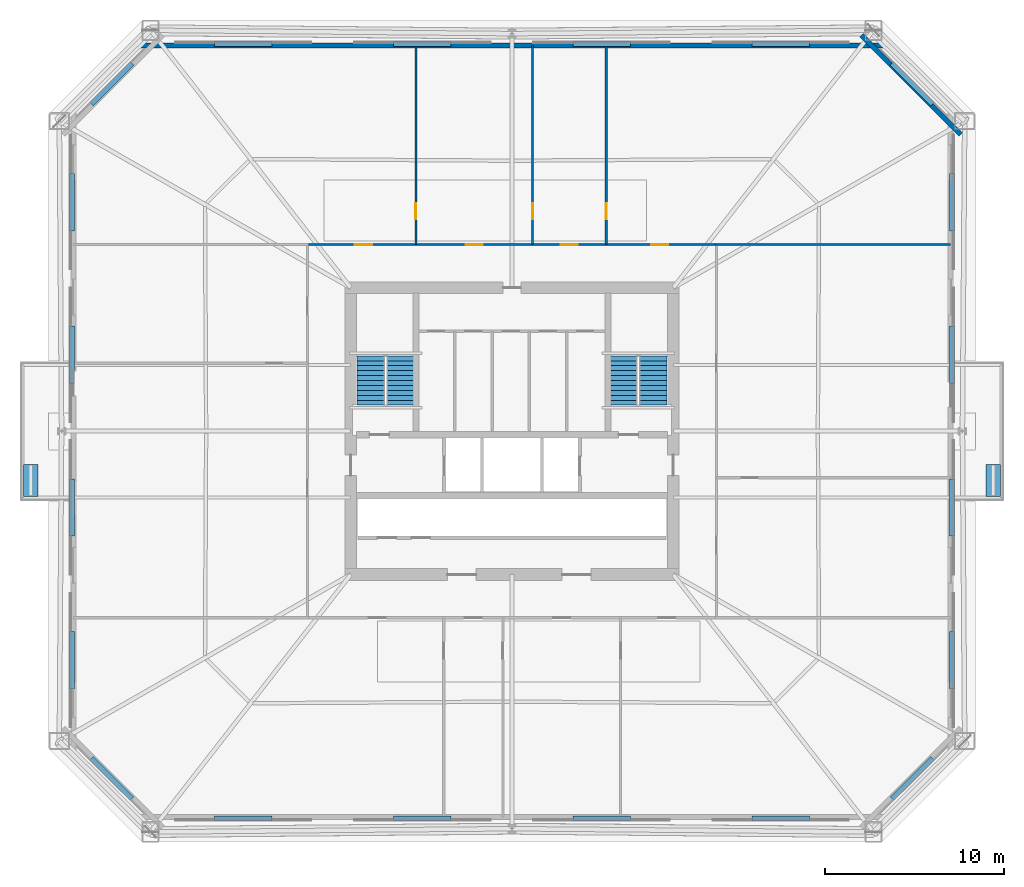
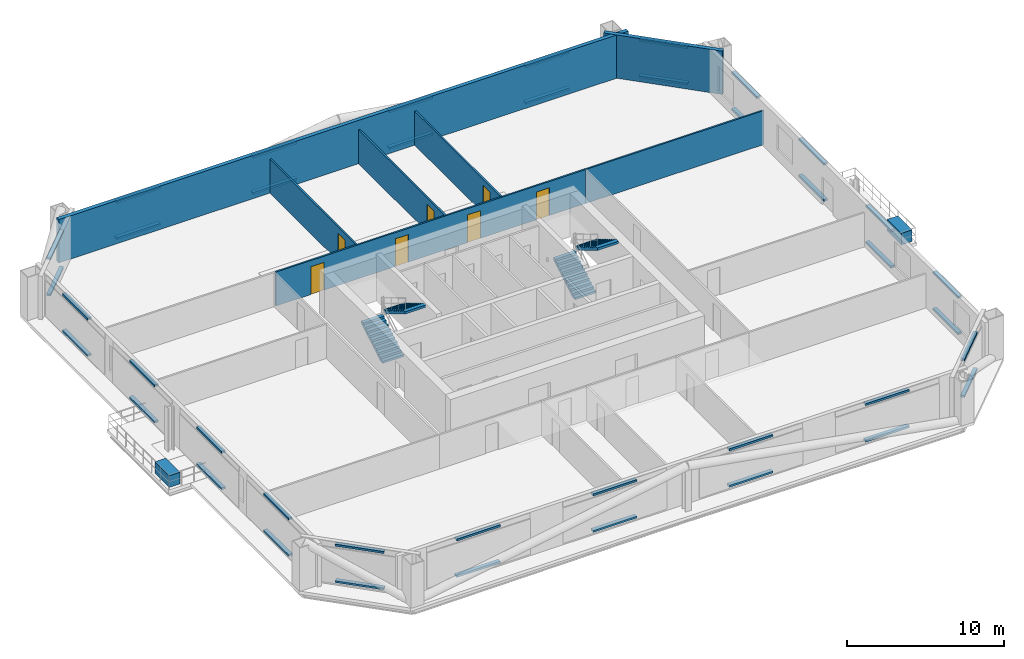
# One storey, part 7 of 10: 42 discrete accessories, 7 doors, 7 walls, 4 stair flights, 7 openings, 2 elements without a shape of their own.
"""IFC4 building model written with IfcOpenShell, lengths in metres."""

from ifc_helpers import new_model, si_unit, direction, frame, frame_2d, origin, origin_2d, place, context, subcontext, project, spatial, polyline, rectangle, outline, extrude, material, layer, layer_set, type_object, element, fill, aggregate, save


model = new_model("IFC4")

# Units and contexts
model_context = context("Model", 3, precision=1e-05, world=origin(), true_north=direction((0.0, 1.0)))
body_context = subcontext(model_context, "Body", "Model", "MODEL_VIEW")
ifc_project = project(units=[si_unit("LENGTHUNIT", "METRE"), si_unit("AREAUNIT", "SQUARE_METRE"), si_unit("VOLUMEUNIT", "CUBIC_METRE"), si_unit("PLANEANGLEUNIT", "RADIAN"), si_unit("MASSUNIT", "GRAM", prefix="KILO")], contexts=[model_context])

# Site, building, storey
site_placement = place(None, origin())
site = spatial("IfcSite", under=ifc_project, at=site_placement, CompositionType="ELEMENT")
building_placement = place(site_placement, origin())
building = spatial("IfcBuilding", under=site, at=building_placement, Name="Caelvoria Tower", CompositionType="ELEMENT")
storey_placement = place(building_placement, frame((0.0, 0.0, 60.39990234375)))
storey = spatial("IfcBuildingStorey", under=building, at=storey_placement, Name="L15", CompositionType="ELEMENT", Elevation=60.39990234375)

# Walls
ifc_material_1 = material(Name="Precast Concrete C40/50 with Bronze Cladding", Category="concrete")
ifc_layer_1 = layer(ifc_material_1, 0.280029296875, Name="Precast Concrete C40/50 with Bronze Cladding")
ifc_layer_set_1 = layer_set([ifc_layer_1], Name="Exterior Precast Concrete C40/50 Bronze-Clad Facade Wall 280 - Precast Concrete C40/50 with Bronze Cladding")
wall_type_1 = type_object("IfcWallType", Name="Exterior Precast Concrete C40/50 Bronze-Clad Facade Wall 280", PredefinedType="STANDARD", material=ifc_layer_set_1)
wall_1_placement = place(storey_placement, frame((71.0439453125, 48.554443359375, 0.0), z_axis=(0.0, 0.0, 1.0), x_axis=(-0.707106781187, 0.707106781187, 0.0)))
element("IfcWall", 1, at=wall_1_placement, inside=storey, type_object=wall_type_1, Name="Exterior Facade Wall L15-E3", PredefinedType="STANDARD", context=body_context, shape_type="SweptSolid", body=[
    extrude(rectangle(XDim=7.834228515625, YDim=0.280029296875, at=frame_2d((3.9169921875, 0.0))), origin(), (0.0, 0.0, 1.0), 3.360107421875),
])
wall_2_placement = place(storey_placement, frame((66.889892578125, 53.52001953125, 0.0), z_axis=(0.0, 0.0, 1.0), x_axis=(-1.0, 0.0, 0.0)))
element("IfcWall", 2, at=wall_2_placement, inside=storey, type_object=wall_type_1, Name="Exterior Facade Wall L15-E4", PredefinedType="STANDARD", context=body_context, shape_type="SweptSolid", body=[
    extrude(rectangle(XDim=41.77978515625, YDim=0.280029296875, at=frame_2d((20.889892578125, 0.0))), origin(), (0.0, 0.0, 1.0), 3.360107421875),
])

# Wall, opening, door
ifc_material_2 = material(Name="Acoustic Gypsum Board on Light-Gauge Stud", Category="gypsum")
ifc_layer_2 = layer(ifc_material_2, 0.1201171875, Name="Acoustic Gypsum Board on Light-Gauge Stud")
ifc_layer_set_2 = layer_set([ifc_layer_2], Name="Tenant Suite Acoustic Partition Wall 120 - Acoustic Gypsum Board on Light-Gauge Stud")
wall_type_2 = type_object("IfcWallType", Name="Tenant Suite Acoustic Partition Wall 120", PredefinedType="PARTITIONING", material=ifc_layer_set_2)
wall_3_placement = place(storey_placement, frame((40.638916015625, 42.409912109375, 0.0), z_axis=(0.0, 0.0, 1.0), x_axis=(0.0, 1.0, 0.0)))
wall_3 = element("IfcWall", 3, at=wall_3_placement, inside=storey, type_object=wall_type_2, Name="Interior Partition IW-L15-ND-00-0", PredefinedType="PARTITIONING", context=body_context, shape_type="SweptSolid", body=[
    extrude(rectangle(XDim=11.110107421875, YDim=0.1201171875, at=frame_2d((5.55517578125, 0.0))), origin(), (0.0, 0.0, 1.0), 2.64013671875),
])
opening_1_placement = place(wall_3_placement, frame((1.39990234375, 0.0, 0.0)))
opening_1 = element("IfcOpeningElement", 4, at=opening_1_placement, cuts=wall_3, Name="Opening ID-06", PredefinedType="OPENING", context=body_context, shape_type="SweptSolid", body=[
    extrude(rectangle(XDim=0.89990234375, YDim=2.14990234375, at=frame_2d((0.449951171875, 1.074951171875))), frame((0.0, 0.070068359375, 0.0), z_axis=(0.0, -1.0, 0.0), x_axis=(1.0, 0.0, 0.0)), (0.0, 0.0, 1.0), 0.14013671875),
])
ifc_material_3 = material(Name="Engineered Andean Oak Veneer Door", Category="wood")
door_type_1 = type_object("IfcDoorType", Name="Interior Timber Door 900x2150", OperationType="NOTDEFINED", PredefinedType="DOOR", material=ifc_material_3)
door_1_placement = place(opening_1_placement, origin())
door_1 = element("IfcDoor", 5, at=door_1_placement, inside=storey, type_object=door_type_1, Name="Interior Door DR-L15-NM-00-0", OperationType="SINGLE_SWING_RIGHT", OverallHeight=2.14990234375, OverallWidth=0.89990234375, PredefinedType="DOOR", context=body_context, shape_type="SweptSolid", body=[
    extrude(rectangle(XDim=0.89990234375, YDim=2.14990234375, at=frame_2d((0.449951171875, 1.074951171875))), frame((0.0, 0.02490234375, 0.0), z_axis=(0.0, -1.0, 0.0), x_axis=(1.0, 0.0, 0.0)), (0.0, 0.0, 1.0), 0.050048828125),
])
fill(opening_1, door_1)

wall_4_placement = place(storey_placement, frame((47.147705078125, 42.409912109375, 0.0), z_axis=(0.0, 0.0, 1.0), x_axis=(0.0, 1.0, 0.0)))
wall_4 = element("IfcWall", 6, at=wall_4_placement, inside=storey, type_object=wall_type_2, Name="Interior Partition IW-L15-ND-01-0", PredefinedType="PARTITIONING", context=body_context, shape_type="SweptSolid", body=[
    extrude(rectangle(XDim=11.110107421875, YDim=0.1201171875, at=frame_2d((5.55517578125, 0.0))), origin(), (0.0, 0.0, 1.0), 2.64013671875),
])
opening_2_placement = place(wall_4_placement, frame((1.39990234375, 0.0, 0.0)))
opening_2 = element("IfcOpeningElement", 7, at=opening_2_placement, cuts=wall_4, Name="Opening ID-06", PredefinedType="OPENING", context=body_context, shape_type="SweptSolid", body=[
    extrude(rectangle(XDim=0.89990234375, YDim=2.14990234375, at=frame_2d((0.449951171875, 1.074951171875))), frame((0.0, 0.070068359375, 0.0), z_axis=(0.0, -1.0, 0.0), x_axis=(1.0, 0.0, 0.0)), (0.0, 0.0, 1.0), 0.14013671875),
])
door_2_placement = place(opening_2_placement, origin())
door_2 = element("IfcDoor", 8, at=door_2_placement, inside=storey, type_object=door_type_1, Name="Interior Door DR-L15-NM-01-0", OperationType="SINGLE_SWING_LEFT", OverallHeight=2.14990234375, OverallWidth=0.89990234375, PredefinedType="DOOR", context=body_context, shape_type="SweptSolid", body=[
    extrude(rectangle(XDim=0.89990234375, YDim=2.14990234375, at=frame_2d((0.449951171875, 1.074951171875))), frame((0.0, 0.02490234375, 0.0), z_axis=(0.0, -1.0, 0.0), x_axis=(1.0, 0.0, 0.0)), (0.0, 0.0, 1.0), 0.050048828125),
])
fill(opening_2, door_2)

wall_5_placement = place(storey_placement, frame((51.2607421875, 42.409912109375, 0.0), z_axis=(0.0, 0.0, 1.0), x_axis=(0.0, 1.0, 0.0)))
wall_5 = element("IfcWall", 9, at=wall_5_placement, inside=storey, type_object=wall_type_2, Name="Interior Partition IW-L15-ND-02-0", PredefinedType="PARTITIONING", context=body_context, shape_type="SweptSolid", body=[
    extrude(rectangle(XDim=11.110107421875, YDim=0.1201171875, at=frame_2d((5.55517578125, 0.0))), origin(), (0.0, 0.0, 1.0), 2.64013671875),
])
opening_3_placement = place(wall_5_placement, frame((1.39990234375, 0.0, 0.0)))
opening_3 = element("IfcOpeningElement", 10, at=opening_3_placement, cuts=wall_5, Name="Opening ID-06", PredefinedType="OPENING", context=body_context, shape_type="SweptSolid", body=[
    extrude(rectangle(XDim=0.89990234375, YDim=2.14990234375, at=frame_2d((0.449951171875, 1.074951171875))), frame((0.0, 0.070068359375, 0.0), z_axis=(0.0, -1.0, 0.0), x_axis=(1.0, 0.0, 0.0)), (0.0, 0.0, 1.0), 0.14013671875),
])
door_3_placement = place(opening_3_placement, origin())
door_3 = element("IfcDoor", 11, at=door_3_placement, inside=storey, type_object=door_type_1, Name="Interior Door DR-L15-NM-02-0", OperationType="SINGLE_SWING_RIGHT", OverallHeight=2.14990234375, OverallWidth=0.89990234375, PredefinedType="DOOR", context=body_context, shape_type="SweptSolid", body=[
    extrude(rectangle(XDim=0.89990234375, YDim=2.14990234375, at=frame_2d((0.449951171875, 1.074951171875))), frame((0.0, 0.02490234375, 0.0), z_axis=(0.0, -1.0, 0.0), x_axis=(1.0, 0.0, 0.0)), (0.0, 0.0, 1.0), 0.050048828125),
])
fill(opening_3, door_3)

# Wall, openings, doors
wall_6_placement = place(storey_placement, frame((34.64990234375, 42.409912109375, 0.0), z_axis=(0.0, 0.0, 1.0), x_axis=(1.0, 0.0, 0.0)))
wall_6 = element("IfcWall", 12, at=wall_6_placement, inside=storey, type_object=wall_type_2, Name="Interior Partition IW-L15-NCW-0", PredefinedType="PARTITIONING", context=body_context, shape_type="SweptSolid", body=[
    extrude(rectangle(XDim=22.7001953125, YDim=0.1201171875, at=frame_2d((11.35009765625, 0.0))), origin(), (0.0, 0.0, 1.0), 2.64013671875),
])
opening_4_placement = place(wall_6_placement, frame((2.589599609375, 0.0, 0.0)))
opening_4 = element("IfcOpeningElement", 13, at=opening_4_placement, cuts=wall_6, Name="Opening ID-05", PredefinedType="OPENING", context=body_context, shape_type="SweptSolid", body=[
    extrude(rectangle(XDim=0.949951171875, YDim=2.14990234375, at=frame_2d((0.47509765625, 1.074951171875))), frame((0.0, 0.070068359375, 0.0), z_axis=(0.0, -1.0, 0.0), x_axis=(1.0, 0.0, 0.0)), (0.0, 0.0, 1.0), 0.14013671875),
])
opening_5_placement = place(wall_6_placement, frame((8.768310546875, 0.0, 0.0)))
opening_5 = element("IfcOpeningElement", 14, at=opening_5_placement, cuts=wall_6, Name="Opening ID-05", PredefinedType="OPENING", context=body_context, shape_type="SweptSolid", body=[
    extrude(rectangle(XDim=0.949951171875, YDim=2.14990234375, at=frame_2d((0.47509765625, 1.074951171875))), frame((0.0, 0.070068359375, 0.0), z_axis=(0.0, -1.0, 0.0), x_axis=(1.0, 0.0, 0.0)), (0.0, 0.0, 1.0), 0.14013671875),
])
opening_6_placement = place(wall_6_placement, frame((14.079345703125, 0.0, 0.0)))
opening_6 = element("IfcOpeningElement", 15, at=opening_6_placement, cuts=wall_6, Name="Opening ID-05", PredefinedType="OPENING", context=body_context, shape_type="SweptSolid", body=[
    extrude(rectangle(XDim=0.949951171875, YDim=2.14990234375, at=frame_2d((0.47509765625, 1.074951171875))), frame((0.0, 0.070068359375, 0.0), z_axis=(0.0, -1.0, 0.0), x_axis=(1.0, 0.0, 0.0)), (0.0, 0.0, 1.0), 0.14013671875),
])
opening_7_placement = place(wall_6_placement, frame((19.1103515625, 0.0, 0.0)))
opening_7 = element("IfcOpeningElement", 16, at=opening_7_placement, cuts=wall_6, Name="Opening ID-05", PredefinedType="OPENING", context=body_context, shape_type="SweptSolid", body=[
    extrude(rectangle(XDim=0.949951171875, YDim=2.14990234375, at=frame_2d((0.47509765625, 1.074951171875))), frame((0.0, 0.070068359375, 0.0), z_axis=(0.0, -1.0, 0.0), x_axis=(1.0, 0.0, 0.0)), (0.0, 0.0, 1.0), 0.14013671875),
])
door_type_2 = type_object("IfcDoorType", Name="Interior Timber Door 950x2150", OperationType="NOTDEFINED", PredefinedType="DOOR", material=ifc_material_3)
door_4_placement = place(opening_4_placement, origin())
door_4 = element("IfcDoor", 17, at=door_4_placement, inside=storey, type_object=door_type_2, Name="Interior Door DR-L15-NC-00-0", OperationType="SINGLE_SWING_RIGHT", OverallHeight=2.14990234375, OverallWidth=0.949951171875, PredefinedType="DOOR", context=body_context, shape_type="SweptSolid", body=[
    extrude(rectangle(XDim=0.949951171875, YDim=2.14990234375, at=frame_2d((0.47509765625, 1.074951171875))), frame((0.0, 0.02490234375, 0.0), z_axis=(0.0, -1.0, 0.0), x_axis=(1.0, 0.0, 0.0)), (0.0, 0.0, 1.0), 0.050048828125),
])
fill(opening_4, door_4)
door_5_placement = place(opening_5_placement, origin())
door_5 = element("IfcDoor", 18, at=door_5_placement, inside=storey, type_object=door_type_2, Name="Interior Door DR-L15-NC-01-0", OperationType="SINGLE_SWING_LEFT", OverallHeight=2.14990234375, OverallWidth=0.949951171875, PredefinedType="DOOR", context=body_context, shape_type="SweptSolid", body=[
    extrude(rectangle(XDim=0.949951171875, YDim=2.14990234375, at=frame_2d((0.47509765625, 1.074951171875))), frame((0.0, 0.02490234375, 0.0), z_axis=(0.0, -1.0, 0.0), x_axis=(1.0, 0.0, 0.0)), (0.0, 0.0, 1.0), 0.050048828125),
])
fill(opening_5, door_5)
door_6_placement = place(opening_6_placement, origin())
door_6 = element("IfcDoor", 19, at=door_6_placement, inside=storey, type_object=door_type_2, Name="Interior Door DR-L15-NC-02-0", OperationType="SINGLE_SWING_RIGHT", OverallHeight=2.14990234375, OverallWidth=0.949951171875, PredefinedType="DOOR", context=body_context, shape_type="SweptSolid", body=[
    extrude(rectangle(XDim=0.949951171875, YDim=2.14990234375, at=frame_2d((0.47509765625, 1.074951171875))), frame((0.0, 0.02490234375, 0.0), z_axis=(0.0, -1.0, 0.0), x_axis=(1.0, 0.0, 0.0)), (0.0, 0.0, 1.0), 0.050048828125),
])
fill(opening_6, door_6)
door_7_placement = place(opening_7_placement, origin())
door_7 = element("IfcDoor", 20, at=door_7_placement, inside=storey, type_object=door_type_2, Name="Interior Door DR-L15-NC-03-0", OperationType="SINGLE_SWING_LEFT", OverallHeight=2.14990234375, OverallWidth=0.949951171875, PredefinedType="DOOR", context=body_context, shape_type="SweptSolid", body=[
    extrude(rectangle(XDim=0.949951171875, YDim=2.14990234375, at=frame_2d((0.47509765625, 1.074951171875))), frame((0.0, 0.02490234375, 0.0), z_axis=(0.0, -1.0, 0.0), x_axis=(1.0, 0.0, 0.0)), (0.0, 0.0, 1.0), 0.050048828125),
])
fill(opening_7, door_7)

# Wall
wall_7_placement = place(storey_placement, frame((57.35009765625, 42.409912109375, 0.0), z_axis=(0.0, 0.0, 1.0), x_axis=(1.0, 0.0, 0.0)))
element("IfcWall", 21, at=wall_7_placement, inside=storey, type_object=wall_type_2, Name="Interior Partition IW-L15-BNE-0", PredefinedType="PARTITIONING", context=body_context, shape_type="SweptSolid", body=[
    extrude(rectangle(XDim=13.119873046875, YDim=0.1201171875, at=frame_2d((6.56005859375, 0.0))), origin(), (0.0, 0.0, 1.0), 2.64013671875),
])

# Stair, stair flights
ifc_material_4 = material(Name="Concrete C40/50", Category="concrete")
stair_type = type_object("IfcStairType", Name="Core Smokeproof Dogleg Stair Concrete C40/50", PredefinedType="HALF_TURN_STAIR", material=ifc_material_4)
stair_1_placement = place(storey_placement, origin())
stair_1 = element("IfcStair", 22, at=stair_1_placement, inside=storey, type_object=stair_type, Name="ST-01 Smokeproof Exit Stair L15", PredefinedType="HALF_TURN_STAIR")
ifc_material_5 = material(Name="Precast Concrete C40/50", Category="concrete")
stair_flight_type = type_object("IfcStairFlightType", Name="Precast Concrete C40/50 Stair Flight 1480", PredefinedType="STRAIGHT", material=ifc_material_5)
stair_flight_1_placement = place(storey_placement, frame((38.1298828125, 33.449951171875, 0.0), z_axis=(0.0, 0.0, 1.0), x_axis=(0.0, 1.0, 0.0)))
stair_flight_1 = element("IfcStairFlight", 23, at=stair_flight_1_placement, type_object=stair_flight_type, Name="ST-01 flight 1", NumberOfRisers=11, NumberOfTreads=10, PredefinedType="STRAIGHT", RiserHeight=0.1636, TreadLength=0.275, context=body_context, shape_type="SweptSolid", body=[
    extrude(outline(polyline([(0.0, 0.0), (0.0, 0.16357421875), (0.27490234375, 0.16357421875), (0.27490234375, 0.3271484375), (0.550048828125, 0.3271484375), (0.550048828125, 0.49072265625), (0.824951171875, 0.49072265625), (0.824951171875, 0.654296875), (1.10009765625, 0.654296875), (1.10009765625, 0.818115234375), (1.375, 0.818115234375), (1.375, 0.981689453125), (1.64990234375, 0.981689453125), (1.64990234375, 1.145263671875), (1.925048828125, 1.145263671875), (1.925048828125, 1.308837890625), (2.199951171875, 1.308837890625), (2.199951171875, 1.472412109375), (2.47509765625, 1.472412109375), (2.47509765625, 1.635986328125), (2.75, 1.635986328125), (2.75, 1.799560546875), (2.75, 1.449951171875), (0.312744140625, 0.0), (0.0, 0.0)])), frame((0.0, 0.77001953125, 0.0), z_axis=(0.0, -1.0, 0.0), x_axis=(1.0, 0.0, 0.0)), (0.0, 0.0, 1.0), 1.5400390625),
])
stair_flight_2_placement = place(storey_placement, frame((39.77001953125, 36.199951171875, 1.800048828125), z_axis=(0.0, 0.0, 1.0), x_axis=(0.0, -1.0, 0.0)))
stair_flight_2 = element("IfcStairFlight", 24, at=stair_flight_2_placement, type_object=stair_flight_type, Name="ST-01 flight 2", NumberOfRisers=11, NumberOfTreads=10, PredefinedType="STRAIGHT", RiserHeight=0.1636, TreadLength=0.275, context=body_context, shape_type="SweptSolid", body=[
    extrude(outline(polyline([(0.0, 0.0), (0.0, 0.16357421875), (0.27490234375, 0.16357421875), (0.27490234375, 0.3271484375), (0.550048828125, 0.3271484375), (0.550048828125, 0.49072265625), (0.824951171875, 0.49072265625), (0.824951171875, 0.654296875), (1.10009765625, 0.654296875), (1.10009765625, 0.818115234375), (1.375, 0.818115234375), (1.375, 0.981689453125), (1.64990234375, 0.981689453125), (1.64990234375, 1.145263671875), (1.925048828125, 1.145263671875), (1.925048828125, 1.308837890625), (2.199951171875, 1.308837890625), (2.199951171875, 1.472412109375), (2.47509765625, 1.472412109375), (2.47509765625, 1.635986328125), (2.75, 1.635986328125), (2.75, 1.799560546875), (2.75, 1.449951171875), (0.312744140625, 0.0), (0.0, 0.0)])), frame((0.0, 0.77001953125, 0.0), z_axis=(0.0, -1.0, 0.0), x_axis=(1.0, 0.0, 0.0)), (0.0, 0.0, 1.0), 1.5400390625),
])
aggregate(stair_1, [stair_flight_1, stair_flight_2])

stair_2_placement = place(storey_placement, origin())
stair_2 = element("IfcStair", 25, at=stair_2_placement, inside=storey, type_object=stair_type, Name="ST-02 Smokeproof Exit Stair L15", PredefinedType="HALF_TURN_STAIR")
stair_flight_3_placement = place(storey_placement, frame((52.22998046875, 33.449951171875, 0.0), z_axis=(0.0, 0.0, 1.0), x_axis=(0.0, 1.0, 0.0)))
stair_flight_3 = element("IfcStairFlight", 26, at=stair_flight_3_placement, type_object=stair_flight_type, Name="ST-02 flight 1", NumberOfRisers=11, NumberOfTreads=10, PredefinedType="STRAIGHT", RiserHeight=0.1636, TreadLength=0.275, context=body_context, shape_type="SweptSolid", body=[
    extrude(outline(polyline([(0.0, 0.0), (0.0, 0.16357421875), (0.27490234375, 0.16357421875), (0.27490234375, 0.3271484375), (0.550048828125, 0.3271484375), (0.550048828125, 0.49072265625), (0.824951171875, 0.49072265625), (0.824951171875, 0.654296875), (1.10009765625, 0.654296875), (1.10009765625, 0.818115234375), (1.375, 0.818115234375), (1.375, 0.981689453125), (1.64990234375, 0.981689453125), (1.64990234375, 1.145263671875), (1.925048828125, 1.145263671875), (1.925048828125, 1.308837890625), (2.199951171875, 1.308837890625), (2.199951171875, 1.472412109375), (2.47509765625, 1.472412109375), (2.47509765625, 1.635986328125), (2.75, 1.635986328125), (2.75, 1.799560546875), (2.75, 1.449951171875), (0.312744140625, 0.0), (0.0, 0.0)])), frame((0.0, 0.77001953125, 0.0), z_axis=(0.0, -1.0, 0.0), x_axis=(1.0, 0.0, 0.0)), (0.0, 0.0, 1.0), 1.5400390625),
])
stair_flight_4_placement = place(storey_placement, frame((53.8701171875, 36.199951171875, 1.800048828125), z_axis=(0.0, 0.0, 1.0), x_axis=(0.0, -1.0, 0.0)))
stair_flight_4 = element("IfcStairFlight", 27, at=stair_flight_4_placement, type_object=stair_flight_type, Name="ST-02 flight 2", NumberOfRisers=11, NumberOfTreads=10, PredefinedType="STRAIGHT", RiserHeight=0.1636, TreadLength=0.275, context=body_context, shape_type="SweptSolid", body=[
    extrude(outline(polyline([(0.0, 0.0), (0.0, 0.16357421875), (0.27490234375, 0.16357421875), (0.27490234375, 0.3271484375), (0.550048828125, 0.3271484375), (0.550048828125, 0.49072265625), (0.824951171875, 0.49072265625), (0.824951171875, 0.654296875), (1.10009765625, 0.654296875), (1.10009765625, 0.818115234375), (1.375, 0.818115234375), (1.375, 0.981689453125), (1.64990234375, 0.981689453125), (1.64990234375, 1.145263671875), (1.925048828125, 1.145263671875), (1.925048828125, 1.308837890625), (2.199951171875, 1.308837890625), (2.199951171875, 1.472412109375), (2.47509765625, 1.472412109375), (2.47509765625, 1.635986328125), (2.75, 1.635986328125), (2.75, 1.799560546875), (2.75, 1.449951171875), (0.312744140625, 0.0), (0.0, 0.0)])), frame((0.0, 0.77001953125, 0.0), z_axis=(0.0, -1.0, 0.0), x_axis=(1.0, 0.0, 0.0)), (0.0, 0.0, 1.0), 1.5400390625),
])
aggregate(stair_2, [stair_flight_3, stair_flight_4])

# Discrete accessories
ifc_material_6 = material(Name="Anodised Bronze Stainless Bracket", Category="bronze")
discrete_accessory_type_1 = type_object("IfcDiscreteAccessoryType", Name="Solar Screen Outrigger Support Bracket", PredefinedType="BRACKET", material=ifc_material_6)
for number, where, z_axis, x_axis, name in (
    (28, (31.007568359375, 10.403076171875, 0.240234375), (0.0, 0.0, 1.0), (1.0, 0.0, 0.0), "Solar Screen Bracket L15-E0-00"),
    (29, (31.007568359375, 10.403076171875, 3.06005859375), (0.0, 0.0, 1.0), (1.0, 0.0, 0.0), "Upper Screen Band Bracket L15-E0-00"),
    (30, (41.00244140625, 10.403076171875, 0.240234375), (0.0, 0.0, 1.0), (1.0, 0.0, 0.0), "Solar Screen Bracket L15-E0-01"),
    (31, (41.00244140625, 10.403076171875, 3.06005859375), (0.0, 0.0, 1.0), (1.0, 0.0, 0.0), "Upper Screen Band Bracket L15-E0-01"),
    (32, (50.99755859375, 10.403076171875, 0.240234375), (0.0, 0.0, 1.0), (1.0, 0.0, 0.0), "Solar Screen Bracket L15-E0-02"),
    (33, (50.99755859375, 10.403076171875, 3.06005859375), (0.0, 0.0, 1.0), (1.0, 0.0, 0.0), "Upper Screen Band Bracket L15-E0-02"),
    (34, (60.992431640625, 10.403076171875, 0.240234375), (0.0, 0.0, 1.0), (1.0, 0.0, 0.0), "Solar Screen Bracket L15-E0-03"),
    (35, (60.992431640625, 10.403076171875, 3.06005859375), (0.0, 0.0, 1.0), (1.0, 0.0, 0.0), "Upper Screen Band Bracket L15-E0-03"),
    (36, (68.32861328125, 12.621337890625, 0.240234375), (0.0, 0.0, 1.0), (0.707106781187, 0.707106781187, 0.0), "Solar Screen Bracket L15-E1-00"),
    (37, (68.32861328125, 12.621337890625, 3.06005859375), (0.0, 0.0, 1.0), (0.707106781187, 0.707106781187, 0.0), "Upper Screen Band Bracket L15-E1-00"),
    (38, (70.547119140625, 19.219970703125, 0.240234375), (0.0, 0.0, 1.0), (0.0, 1.0, 0.0), "Solar Screen Bracket L15-E2-00"),
    (39, (70.547119140625, 19.219970703125, 3.06005859375), (0.0, 0.0, 1.0), (0.0, 1.0, 0.0), "Upper Screen Band Bracket L15-E2-00"),
    (40, (70.547119140625, 27.739990234375, 0.240234375), (0.0, 0.0, 1.0), (0.0, 1.0, 0.0), "Solar Screen Bracket L15-E2-01"),
    (41, (70.547119140625, 27.739990234375, 3.06005859375), (0.0, 0.0, 1.0), (0.0, 1.0, 0.0), "Upper Screen Band Bracket L15-E2-01"),
    (42, (70.547119140625, 36.260009765625, 0.240234375), (0.0, 0.0, 1.0), (0.0, 1.0, 0.0), "Solar Screen Bracket L15-E2-02"),
    (43, (70.547119140625, 36.260009765625, 3.06005859375), (0.0, 0.0, 1.0), (0.0, 1.0, 0.0), "Upper Screen Band Bracket L15-E2-02"),
    (44, (70.547119140625, 44.780029296875, 0.240234375), (0.0, 0.0, 1.0), (0.0, 1.0, 0.0), "Solar Screen Bracket L15-E2-03"),
    (45, (70.547119140625, 44.780029296875, 3.06005859375), (0.0, 0.0, 1.0), (0.0, 1.0, 0.0), "Upper Screen Band Bracket L15-E2-03"),
    (46, (68.32861328125, 51.378662109375, 0.240234375), (0.0, 0.0, 1.0), (-0.707106781187, 0.707106781187, 0.0), "Solar Screen Bracket L15-E3-00"),
    (47, (68.32861328125, 51.378662109375, 3.06005859375), (0.0, 0.0, 1.0), (-0.707106781187, 0.707106781187, 0.0), "Upper Screen Band Bracket L15-E3-00"),
    (48, (60.992431640625, 53.596923828125, 0.240234375), (0.0, 0.0, 1.0), (-1.0, 0.0, 0.0), "Solar Screen Bracket L15-E4-00"),
    (49, (60.992431640625, 53.596923828125, 3.06005859375), (0.0, 0.0, 1.0), (-1.0, 0.0, 0.0), "Upper Screen Band Bracket L15-E4-00"),
    (50, (50.99755859375, 53.596923828125, 0.240234375), (0.0, 0.0, 1.0), (-1.0, 0.0, 0.0), "Solar Screen Bracket L15-E4-01"),
    (51, (50.99755859375, 53.596923828125, 3.06005859375), (0.0, 0.0, 1.0), (-1.0, 0.0, 0.0), "Upper Screen Band Bracket L15-E4-01"),
    (52, (41.00244140625, 53.596923828125, 0.240234375), (0.0, 0.0, 1.0), (-1.0, 0.0, 0.0), "Solar Screen Bracket L15-E4-02"),
    (53, (41.00244140625, 53.596923828125, 3.06005859375), (0.0, 0.0, 1.0), (-1.0, 0.0, 0.0), "Upper Screen Band Bracket L15-E4-02"),
    (54, (31.007568359375, 53.596923828125, 0.240234375), (0.0, 0.0, 1.0), (-1.0, 0.0, 0.0), "Solar Screen Bracket L15-E4-03"),
    (55, (31.007568359375, 53.596923828125, 3.06005859375), (0.0, 0.0, 1.0), (-1.0, 0.0, 0.0), "Upper Screen Band Bracket L15-E4-03"),
    (56, (23.67138671875, 51.378662109375, 0.240234375), (0.0, 0.0, 1.0), (-0.707106781187, -0.707106781187, 0.0), "Solar Screen Bracket L15-E5-00"),
    (57, (23.67138671875, 51.378662109375, 3.06005859375), (0.0, 0.0, 1.0), (-0.707106781187, -0.707106781187, 0.0), "Upper Screen Band Bracket L15-E5-00"),
    (58, (21.452880859375, 44.780029296875, 0.240234375), (0.0, 0.0, 1.0), (0.0, -1.0, 0.0), "Solar Screen Bracket L15-E6-00"),
    (59, (21.452880859375, 44.780029296875, 3.06005859375), (0.0, 0.0, 1.0), (0.0, -1.0, 0.0), "Upper Screen Band Bracket L15-E6-00"),
    (60, (21.452880859375, 36.260009765625, 0.240234375), (0.0, 0.0, 1.0), (0.0, -1.0, 0.0), "Solar Screen Bracket L15-E6-01"),
    (61, (21.452880859375, 36.260009765625, 3.06005859375), (0.0, 0.0, 1.0), (0.0, -1.0, 0.0), "Upper Screen Band Bracket L15-E6-01"),
    (62, (21.452880859375, 27.739990234375, 0.240234375), (0.0, 0.0, 1.0), (0.0, -1.0, 0.0), "Solar Screen Bracket L15-E6-02"),
    (63, (21.452880859375, 27.739990234375, 3.06005859375), (0.0, 0.0, 1.0), (0.0, -1.0, 0.0), "Upper Screen Band Bracket L15-E6-02"),
    (64, (21.452880859375, 19.219970703125, 0.240234375), (0.0, 0.0, 1.0), (0.0, -1.0, 0.0), "Solar Screen Bracket L15-E6-03"),
    (65, (21.452880859375, 19.219970703125, 3.06005859375), (0.0, 0.0, 1.0), (0.0, -1.0, 0.0), "Upper Screen Band Bracket L15-E6-03"),
    (66, (23.67138671875, 12.621337890625, 0.240234375), (0.0, 0.0, 1.0), (0.707106781187, -0.707106781187, 0.0), "Solar Screen Bracket L15-E7-00"),
    (67, (23.67138671875, 12.621337890625, 3.06005859375), (0.0, 0.0, 1.0), (0.707106781187, -0.707106781187, 0.0), "Upper Screen Band Bracket L15-E7-00"),
):
    element("IfcDiscreteAccessory", number, at=place(storey_placement, frame(where, z_axis=z_axis, x_axis=x_axis)), inside=storey, type_object=discrete_accessory_type_1, Name=name, PredefinedType="BRACKET", context=body_context, shape_type="SweptSolid", body=[
        extrude(rectangle(XDim=3.199951171875, YDim=0.280029296875, at=origin_2d()), origin(), (0.0, 0.0, 1.0), 0.159912109375),
    ])
ifc_material_7 = material(Name="Bronze-Clad Concrete C40/50 Planter Vessel", Category="concrete")
discrete_accessory_type_2 = type_object("IfcDiscreteAccessoryType", Name="Tree Balcony Structural Planter Vessel PLANTER", PredefinedType="USERDEFINED", material=ifc_material_7)
for number, where, z_axis, x_axis, name in (
    (68, (19.14990234375, 29.25, 0.000244140625), (0.0, 0.0, 1.0), (0.0, 1.0, 0.0), "Tree Balcony Planter TB-L15-W"),
    (69, (72.85009765625, 29.25, 0.000244140625), (0.0, 0.0, 1.0), (0.0, 1.0, 0.0), "Tree Balcony Planter TB-L15-E"),
):
    element("IfcDiscreteAccessory", number, at=place(storey_placement, frame(where, z_axis=z_axis, x_axis=x_axis)), inside=storey, type_object=discrete_accessory_type_2, Name=name, ObjectType="PLANTER", PredefinedType="USERDEFINED", context=body_context, shape_type="SweptSolid", body=[
        extrude(rectangle(XDim=1.800048828125, YDim=0.800048828125, at=origin_2d()), origin(), (0.0, 0.0, 1.0), 0.89990234375),
    ])

save(model, "model.ifc")
